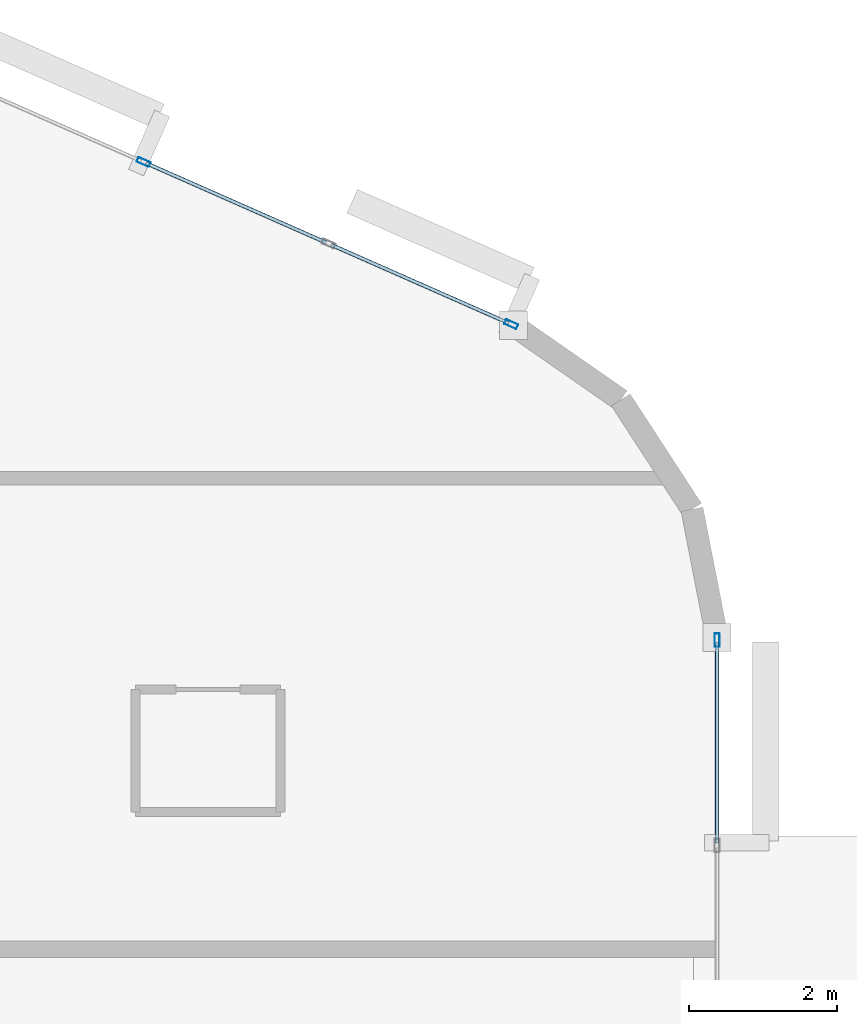
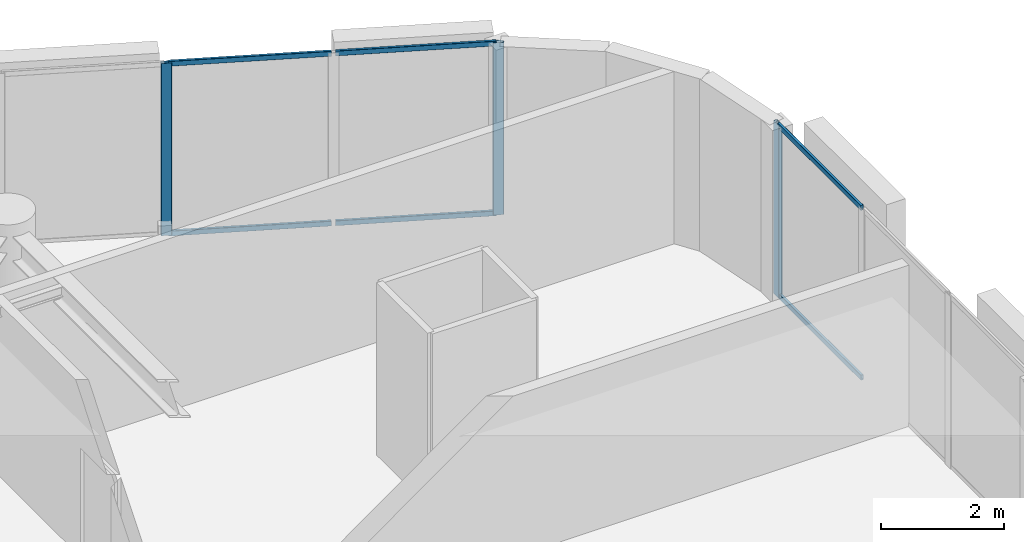
# One storey, part 6 of 12: 9 members, 2 elements without a shape of their own.
"""IFC4 building model written with IfcOpenShell, lengths in metres."""

from ifc_helpers import new_model, si_unit, direction, frame, origin, origin_2d, place, context, subcontext, project, spatial, hollow_rectangle, extrude, material, layer, layer_set, material_profile, profile_set, type_object, element, aggregate, save


model = new_model("IFC4")

# Units and contexts
model_context = context("Model", 3, precision=1e-05, world=origin(), true_north=direction((0.0, 1.0)))
body_context = subcontext(model_context, "Body", "Model", "MODEL_VIEW")
ifc_project = project(units=[si_unit("LENGTHUNIT", "METRE"), si_unit("AREAUNIT", "SQUARE_METRE"), si_unit("VOLUMEUNIT", "CUBIC_METRE"), si_unit("PLANEANGLEUNIT", "RADIAN"), si_unit("MASSUNIT", "GRAM", prefix="KILO")], contexts=[model_context])

# Site, building, storey
site_placement = place(None, origin())
site = spatial("IfcSite", under=ifc_project, at=site_placement, CompositionType="ELEMENT")
building_placement = place(site_placement, origin())
building = spatial("IfcBuilding", under=site, at=building_placement, Name="An Khanh Terracotta Commons", CompositionType="ELEMENT")
storey_placement = place(building_placement, frame((0.0, 0.0, 291.64990234375)))
storey = spatial("IfcBuildingStorey", under=building, at=storey_placement, Name="L76", CompositionType="ELEMENT", Elevation=291.64990234375)

# Curtain wall, member
ifc_material = material(Name="Anodised Aluminium 6063-T6", Category="aluminium")
ifc_layer = layer(ifc_material, 0.2099609375, Name="Anodised Aluminium 6063-T6")
ifc_layer_set = layer_set([ifc_layer], Name="Anodised Aluminium 6063-T6")
curtain_wall_type = type_object("IfcCurtainWallType", Name="CW-SYS-03", PredefinedType="USERDEFINED", material=ifc_layer_set)
curtain_wall_1_placement = place(storey_placement, origin())
curtain_wall_1 = element("IfcCurtainWall", 1, at=curtain_wall_1_placement, inside=storey, type_object=curtain_wall_type, Name="L76 CW-03 Unitised Curtain Wall CW-L76-12", ObjectType="UNITISED CURTAIN WALL", PredefinedType="USERDEFINED")
ifc_material_profile_1 = material_profile(ifc_material, hollow_rectangle(XDim=0.070068359375, YDim=0.179931640625, WallThickness=0.00390625, InnerFilletRadius=0.00390625, OuterFilletRadius=0.008056640625, at=origin_2d()), Name="RHS180x70x4")
ifc_profile_set_1 = profile_set([ifc_material_profile_1], Name="Anodised Aluminium 6063-T6")
member_type_1 = type_object("IfcMemberType", Name="CWM-RHS180x70x4", PredefinedType="MULLION", material=ifc_profile_set_1)
member_1_placement = place(storey_placement, frame((75.60009765625, 28.1669921875, 0.0), z_axis=(0.0, 0.0, 1.0), x_axis=(-1.0, 0.0, 0.0)))
member_1 = element("IfcMember", 2, at=member_1_placement, type_object=member_type_1, Name="CW-03 mullion 4", PredefinedType="MULLION", context=body_context, shape_type="SweptSolid", body=[
    extrude(hollow_rectangle(XDim=0.070068359375, YDim=0.179931640625, WallThickness=0.00390625, InnerFilletRadius=0.00390625, OuterFilletRadius=0.008056640625, at=origin_2d()), origin(), (0.0, 0.0, 1.0), 3.41015625),
])

# Curtain wall, members
curtain_wall_2_placement = place(storey_placement, origin())
curtain_wall_2 = element("IfcCurtainWall", 3, at=curtain_wall_2_placement, inside=storey, type_object=curtain_wall_type, Name="L76 CW-03 Unitised Curtain Wall CW-L76-16", ObjectType="UNITISED CURTAIN WALL", PredefinedType="USERDEFINED")
member_2_placement = place(storey_placement, frame((72.824951171875, 32.424072265625, 0.0), z_axis=(0.0, 0.0, 1.0), x_axis=(-0.403676354285, -0.914901853201, 0.0)))
member_2 = element("IfcMember", 4, at=member_2_placement, type_object=member_type_1, Name="CW-03 mullion 1", PredefinedType="MULLION", context=body_context, shape_type="SweptSolid", body=[
    extrude(hollow_rectangle(XDim=0.070068359375, YDim=0.179931640625, WallThickness=0.00390625, InnerFilletRadius=0.00390625, OuterFilletRadius=0.008056640625, at=origin_2d()), origin(), (0.0, 0.0, 1.0), 3.41015625),
])
member_3_placement = place(storey_placement, frame((67.8720703125, 34.609619140625, 0.0), z_axis=(0.0, 0.0, 1.0), x_axis=(-0.403676354285, -0.914901853201, 0.0)))
member_3 = element("IfcMember", 5, at=member_3_placement, type_object=member_type_1, Name="CW-03 mullion 3", PredefinedType="MULLION", context=body_context, shape_type="SweptSolid", body=[
    extrude(hollow_rectangle(XDim=0.070068359375, YDim=0.179931640625, WallThickness=0.00390625, InnerFilletRadius=0.00390625, OuterFilletRadius=0.008056640625, at=origin_2d()), origin(), (0.0, 0.0, 1.0), 3.41015625),
])

# Member
ifc_material_profile_2 = material_profile(ifc_material, hollow_rectangle(XDim=0.050048828125, YDim=0.10009765625, WallThickness=0.003173828125, InnerFilletRadius=0.003173828125, OuterFilletRadius=0.00634765625, at=origin_2d()), Name="RHS100x50x3.2")
ifc_profile_set_2 = profile_set([ifc_material_profile_2], Name="Anodised Aluminium 6063-T6")
member_type_2 = type_object("IfcMemberType", Name="CWT-RHS100x50x3.2", PredefinedType="USERDEFINED", material=ifc_profile_set_2)
member_4_placement = place(storey_placement, frame((75.60009765625, 25.435546875, 0.025146484375), z_axis=(0.0, 1.0, 0.0), x_axis=(-1.0, 0.0, 0.0)))
member_4 = element("IfcMember", 6, at=member_4_placement, type_object=member_type_2, Name="CW-03 transom 3.1", ObjectType="TRANSOM", PredefinedType="USERDEFINED", context=body_context, shape_type="SweptSolid", body=[
    extrude(hollow_rectangle(XDim=0.050048828125, YDim=0.10009765625, WallThickness=0.003173828125, InnerFilletRadius=0.003173828125, OuterFilletRadius=0.00634765625, at=origin_2d()), origin(), (0.0, 0.0, 1.0), 2.696533203125),
])

member_5_placement = place(storey_placement, frame((75.60009765625, 25.435546875, 3.385009765625), z_axis=(0.0, 1.0, 0.0), x_axis=(-1.0, 0.0, 0.0)))
member_5 = element("IfcMember", 7, at=member_5_placement, type_object=member_type_2, Name="CW-03 transom 3.2", ObjectType="TRANSOM", PredefinedType="USERDEFINED", context=body_context, shape_type="SweptSolid", body=[
    extrude(hollow_rectangle(XDim=0.050048828125, YDim=0.10009765625, WallThickness=0.003173828125, InnerFilletRadius=0.003173828125, OuterFilletRadius=0.00634765625, at=origin_2d()), origin(), (0.0, 0.0, 1.0), 2.696533203125),
])

aggregate(curtain_wall_1, [member_1, member_4, member_5])

member_6_placement = place(storey_placement, frame((72.79296875, 32.438232421875, 0.025146484375), z_axis=(-0.914903627858, 0.403672332137, 0.0), x_axis=(-0.403672332137, -0.914903627858, 0.0)))
member_6 = element("IfcMember", 8, at=member_6_placement, type_object=member_type_2, Name="CW-03 transom 1.1", ObjectType="TRANSOM", PredefinedType="USERDEFINED", context=body_context, shape_type="SweptSolid", body=[
    extrude(hollow_rectangle(XDim=0.050048828125, YDim=0.10009765625, WallThickness=0.003173828125, InnerFilletRadius=0.003173828125, OuterFilletRadius=0.00634765625, at=origin_2d()), origin(), (0.0, 0.0, 1.0), 2.619384765625),
])

member_7_placement = place(storey_placement, frame((72.79296875, 32.438232421875, 3.385009765625), z_axis=(-0.914903627858, 0.403672332137, 0.0), x_axis=(-0.403672332137, -0.914903627858, 0.0)))
member_7 = element("IfcMember", 9, at=member_7_placement, type_object=member_type_2, Name="CW-03 transom 1.2", ObjectType="TRANSOM", PredefinedType="USERDEFINED", context=body_context, shape_type="SweptSolid", body=[
    extrude(hollow_rectangle(XDim=0.050048828125, YDim=0.10009765625, WallThickness=0.003173828125, InnerFilletRadius=0.003173828125, OuterFilletRadius=0.00634765625, at=origin_2d()), origin(), (0.0, 0.0, 1.0), 2.619384765625),
])

member_8_placement = place(storey_placement, frame((70.33251953125, 33.52392578125, 0.025146484375), z_axis=(-0.914896820753, 0.403687759755, 0.0), x_axis=(-0.403687759755, -0.914896820753, 0.0)))
member_8 = element("IfcMember", 10, at=member_8_placement, type_object=member_type_2, Name="CW-03 transom 2.1", ObjectType="TRANSOM", PredefinedType="USERDEFINED", context=body_context, shape_type="SweptSolid", body=[
    extrude(hollow_rectangle(XDim=0.050048828125, YDim=0.10009765625, WallThickness=0.003173828125, InnerFilletRadius=0.003173828125, OuterFilletRadius=0.00634765625, at=origin_2d()), origin(), (0.0, 0.0, 1.0), 2.654296875),
])

member_9_placement = place(storey_placement, frame((70.33251953125, 33.52392578125, 3.385009765625), z_axis=(-0.914896820753, 0.403687759755, 0.0), x_axis=(-0.403687759755, -0.914896820753, 0.0)))
member_9 = element("IfcMember", 11, at=member_9_placement, type_object=member_type_2, Name="CW-03 transom 2.2", ObjectType="TRANSOM", PredefinedType="USERDEFINED", context=body_context, shape_type="SweptSolid", body=[
    extrude(hollow_rectangle(XDim=0.050048828125, YDim=0.10009765625, WallThickness=0.003173828125, InnerFilletRadius=0.003173828125, OuterFilletRadius=0.00634765625, at=origin_2d()), origin(), (0.0, 0.0, 1.0), 2.654296875),
])

aggregate(curtain_wall_2, [member_2, member_3, member_6, member_7, member_8, member_9])

save(model, "model.ifc")
